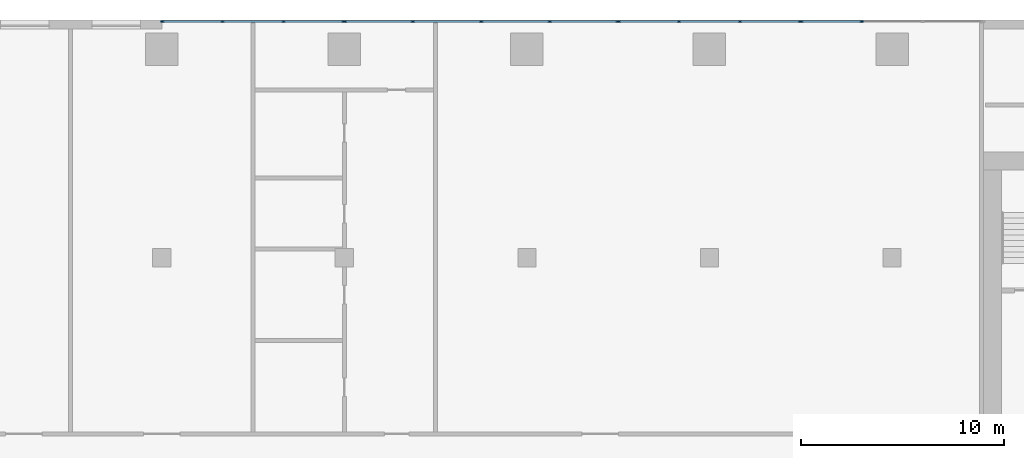
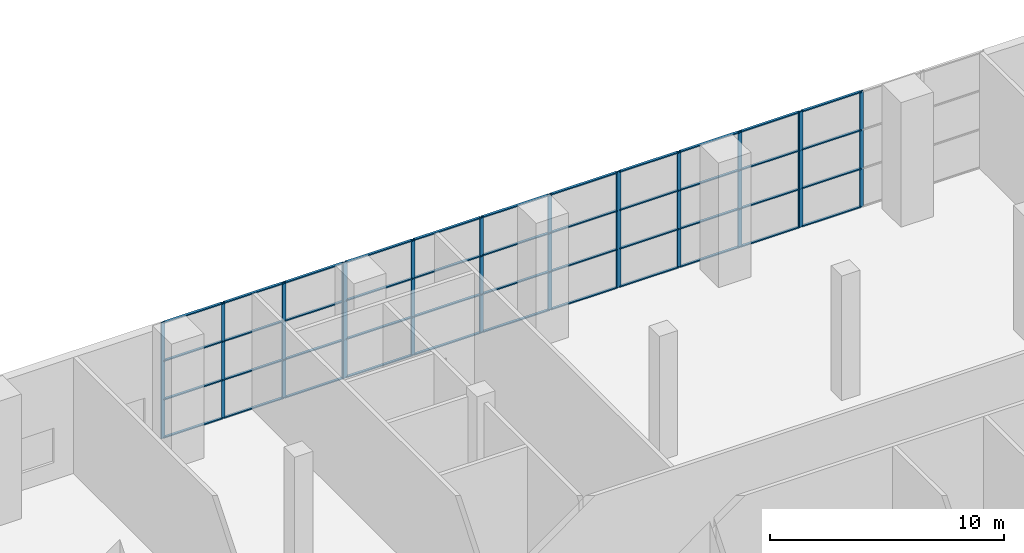
# One storey, part 3 of 24: 59 members, 4 elements without a shape of their own.
"""IFC4 building model written with IfcOpenShell, lengths in metres."""

from ifc_helpers import new_model, si_unit, direction, frame, origin, origin_2d, place, context, subcontext, project, spatial, rectangle, extrude, material, material_profile, profile_set, type_object, element, aggregate, save


model = new_model("IFC4")

# Units and contexts
model_context = context("Model", 3, precision=1e-05, world=origin(), true_north=direction((0.0, 1.0)))
body_context = subcontext(model_context, "Body", "Model", "MODEL_VIEW")
ifc_project = project(units=[si_unit("LENGTHUNIT", "METRE"), si_unit("AREAUNIT", "SQUARE_METRE"), si_unit("VOLUMEUNIT", "CUBIC_METRE"), si_unit("PLANEANGLEUNIT", "RADIAN"), si_unit("MASSUNIT", "GRAM", prefix="KILO")], contexts=[model_context])

# Site, building, storey
site_placement = place(None, origin())
site = spatial("IfcSite", under=ifc_project, at=site_placement, CompositionType="ELEMENT")
building_placement = place(site_placement, origin())
building = spatial("IfcBuilding", under=site, at=building_placement, Name="Kajstack Hotel Tower", CompositionType="ELEMENT")
storey_placement = place(building_placement, frame((0.0, 0.0, 17.0)))
storey = spatial("IfcBuildingStorey", under=building, at=storey_placement, Name="L02", CompositionType="ELEMENT", Elevation=17.0)

# Curtain wall, members
ifc_material_1 = material(Name="Aluminium-framed curtain wall, low-iron laminated glass", Category="aluminium")
curtain_wall_type = type_object("IfcCurtainWallType", Name="CW-DINING", PredefinedType="NOTDEFINED", material=ifc_material_1)
curtain_wall_1_placement = place(storey_placement, origin())
curtain_wall_1 = element("IfcCurtainWall", 1, at=curtain_wall_1_placement, inside=storey, type_object=curtain_wall_type, Name="Curtain wall CU2 L02-11-02-0", PredefinedType="NOTDEFINED")
ifc_material_2 = material(Name="Aluminium", Category="aluminium")
ifc_material_profile_1 = material_profile(ifc_material_2, rectangle(XDim=0.06005859375, YDim=0.179931640625, at=origin_2d()), Name="Aluminium mullion 60 x 180")
ifc_profile_set_1 = profile_set([ifc_material_profile_1], Name="Aluminium")
member_type_1 = type_object("IfcMemberType", Name="CW-M-DINING", PredefinedType="MULLION", material=ifc_profile_set_1)
member_1_placement = place(storey_placement, frame((7.5, 21.925048828125, 0.0), z_axis=(0.0, 0.0, 1.0), x_axis=(0.0, -1.0, 0.0)))
member_1 = element("IfcMember", 2, at=member_1_placement, type_object=member_type_1, Name="CU2 mullion 3", PredefinedType="MULLION", context=body_context, shape_type="SweptSolid", body=[
    extrude(rectangle(XDim=0.06005859375, YDim=0.179931640625, at=origin_2d()), origin(), (0.0, 0.0, 1.0), 6.050048828125),
])
member_2_placement = place(storey_placement, frame((4.530029296875, 21.925048828125, 0.0), z_axis=(0.0, 0.0, 1.0), x_axis=(0.0, -1.0, 0.0)))
member_2 = element("IfcMember", 3, at=member_2_placement, type_object=member_type_1, Name="CU2 mullion 4", PredefinedType="MULLION", context=body_context, shape_type="SweptSolid", body=[
    extrude(rectangle(XDim=0.06005859375, YDim=0.179931640625, at=origin_2d()), origin(), (0.0, 0.0, 1.0), 6.050048828125),
])

curtain_wall_2_placement = place(storey_placement, origin())
curtain_wall_2 = element("IfcCurtainWall", 4, at=curtain_wall_2_placement, inside=storey, type_object=curtain_wall_type, Name="Curtain wall CU2 L02-11-02-1", PredefinedType="NOTDEFINED")
member_3_placement = place(storey_placement, frame((4.469970703125, 21.925048828125, 0.0), z_axis=(0.0, 0.0, 1.0), x_axis=(0.0, -1.0, 0.0)))
member_3 = element("IfcMember", 5, at=member_3_placement, type_object=member_type_1, Name="CU2 mullion 1", PredefinedType="MULLION", context=body_context, shape_type="SweptSolid", body=[
    extrude(rectangle(XDim=0.06005859375, YDim=0.179931640625, at=origin_2d()), origin(), (0.0, 0.0, 1.0), 6.050048828125),
])
member_4_placement = place(storey_placement, frame((1.5, 21.925048828125, 0.0), z_axis=(0.0, 0.0, 1.0), x_axis=(0.0, -1.0, 0.0)))
member_4 = element("IfcMember", 6, at=member_4_placement, type_object=member_type_1, Name="CU2 mullion 2", PredefinedType="MULLION", context=body_context, shape_type="SweptSolid", body=[
    extrude(rectangle(XDim=0.06005859375, YDim=0.179931640625, at=origin_2d()), origin(), (0.0, 0.0, 1.0), 6.050048828125),
])
member_5_placement = place(storey_placement, frame((-1.5, 21.925048828125, 0.0), z_axis=(0.0, 0.0, 1.0), x_axis=(0.0, -1.0, 0.0)))
member_5 = element("IfcMember", 7, at=member_5_placement, type_object=member_type_1, Name="CU2 mullion 3", PredefinedType="MULLION", context=body_context, shape_type="SweptSolid", body=[
    extrude(rectangle(XDim=0.06005859375, YDim=0.179931640625, at=origin_2d()), origin(), (0.0, 0.0, 1.0), 6.050048828125),
])
member_6_placement = place(storey_placement, frame((-4.469970703125, 21.925048828125, 0.0), z_axis=(0.0, 0.0, 1.0), x_axis=(0.0, -1.0, 0.0)))
member_6 = element("IfcMember", 8, at=member_6_placement, type_object=member_type_1, Name="CU2 mullion 4", PredefinedType="MULLION", context=body_context, shape_type="SweptSolid", body=[
    extrude(rectangle(XDim=0.06005859375, YDim=0.179931640625, at=origin_2d()), origin(), (0.0, 0.0, 1.0), 6.050048828125),
])

curtain_wall_3_placement = place(storey_placement, origin())
curtain_wall_3 = element("IfcCurtainWall", 9, at=curtain_wall_3_placement, inside=storey, type_object=curtain_wall_type, Name="Curtain wall CU2 L02-11-02-2", PredefinedType="NOTDEFINED")
member_7_placement = place(storey_placement, frame((-4.530029296875, 21.925048828125, 0.0), z_axis=(0.0, 0.0, 1.0), x_axis=(0.0, -1.0, 0.0)))
member_7 = element("IfcMember", 10, at=member_7_placement, type_object=member_type_1, Name="CU2 mullion 1", PredefinedType="MULLION", context=body_context, shape_type="SweptSolid", body=[
    extrude(rectangle(XDim=0.06005859375, YDim=0.179931640625, at=origin_2d()), origin(), (0.0, 0.0, 1.0), 6.050048828125),
])
member_8_placement = place(storey_placement, frame((-7.875, 21.925048828125, 0.0), z_axis=(0.0, 0.0, 1.0), x_axis=(0.0, -1.0, 0.0)))
member_8 = element("IfcMember", 11, at=member_8_placement, type_object=member_type_1, Name="CU2 mullion 2", PredefinedType="MULLION", context=body_context, shape_type="SweptSolid", body=[
    extrude(rectangle(XDim=0.06005859375, YDim=0.179931640625, at=origin_2d()), origin(), (0.0, 0.0, 1.0), 6.050048828125),
])
member_9_placement = place(storey_placement, frame((-11.25, 21.925048828125, 0.0), z_axis=(0.0, 0.0, 1.0), x_axis=(0.0, -1.0, 0.0)))
member_9 = element("IfcMember", 12, at=member_9_placement, type_object=member_type_1, Name="CU2 mullion 3", PredefinedType="MULLION", context=body_context, shape_type="SweptSolid", body=[
    extrude(rectangle(XDim=0.06005859375, YDim=0.179931640625, at=origin_2d()), origin(), (0.0, 0.0, 1.0), 6.050048828125),
])
member_10_placement = place(storey_placement, frame((-14.625, 21.925048828125, 0.0), z_axis=(0.0, 0.0, 1.0), x_axis=(0.0, -1.0, 0.0)))
member_10 = element("IfcMember", 13, at=member_10_placement, type_object=member_type_1, Name="CU2 mullion 4", PredefinedType="MULLION", context=body_context, shape_type="SweptSolid", body=[
    extrude(rectangle(XDim=0.06005859375, YDim=0.179931640625, at=origin_2d()), origin(), (0.0, 0.0, 1.0), 6.050048828125),
])
member_11_placement = place(storey_placement, frame((-17.969970703125, 21.925048828125, 0.0), z_axis=(0.0, 0.0, 1.0), x_axis=(0.0, -1.0, 0.0)))
member_11 = element("IfcMember", 14, at=member_11_placement, type_object=member_type_1, Name="CU2 mullion 5", PredefinedType="MULLION", context=body_context, shape_type="SweptSolid", body=[
    extrude(rectangle(XDim=0.06005859375, YDim=0.179931640625, at=origin_2d()), origin(), (0.0, 0.0, 1.0), 6.050048828125),
])

curtain_wall_4_placement = place(storey_placement, origin())
curtain_wall_4 = element("IfcCurtainWall", 15, at=curtain_wall_4_placement, inside=storey, type_object=curtain_wall_type, Name="Curtain wall CU2 L02-11-02-3", PredefinedType="NOTDEFINED")
member_12_placement = place(storey_placement, frame((-18.030029296875, 21.925048828125, 0.0), z_axis=(0.0, 0.0, 1.0), x_axis=(0.0, -1.0, 0.0)))
member_12 = element("IfcMember", 16, at=member_12_placement, type_object=member_type_1, Name="CU2 mullion 1", PredefinedType="MULLION", context=body_context, shape_type="SweptSolid", body=[
    extrude(rectangle(XDim=0.06005859375, YDim=0.179931640625, at=origin_2d()), origin(), (0.0, 0.0, 1.0), 6.050048828125),
])
member_13_placement = place(storey_placement, frame((-21.0, 21.925048828125, 0.0), z_axis=(0.0, 0.0, 1.0), x_axis=(0.0, -1.0, 0.0)))
member_13 = element("IfcMember", 17, at=member_13_placement, type_object=member_type_1, Name="CU2 mullion 2", PredefinedType="MULLION", context=body_context, shape_type="SweptSolid", body=[
    extrude(rectangle(XDim=0.06005859375, YDim=0.179931640625, at=origin_2d()), origin(), (0.0, 0.0, 1.0), 6.050048828125),
])
member_14_placement = place(storey_placement, frame((-24.0, 21.925048828125, 0.0), z_axis=(0.0, 0.0, 1.0), x_axis=(0.0, -1.0, 0.0)))
member_14 = element("IfcMember", 18, at=member_14_placement, type_object=member_type_1, Name="CU2 mullion 3", PredefinedType="MULLION", context=body_context, shape_type="SweptSolid", body=[
    extrude(rectangle(XDim=0.06005859375, YDim=0.179931640625, at=origin_2d()), origin(), (0.0, 0.0, 1.0), 6.050048828125),
])
member_15_placement = place(storey_placement, frame((-26.969970703125, 21.925048828125, 0.0), z_axis=(0.0, 0.0, 1.0), x_axis=(0.0, -1.0, 0.0)))
member_15 = element("IfcMember", 19, at=member_15_placement, type_object=member_type_1, Name="CU2 mullion 4", PredefinedType="MULLION", context=body_context, shape_type="SweptSolid", body=[
    extrude(rectangle(XDim=0.06005859375, YDim=0.179931640625, at=origin_2d()), origin(), (0.0, 0.0, 1.0), 6.050048828125),
])

# Member
ifc_material_profile_2 = material_profile(ifc_material_2, rectangle(XDim=0.1201171875, YDim=0.06005859375, at=origin_2d()), Name="Aluminium transom 120 x 60")
ifc_profile_set_2 = profile_set([ifc_material_profile_2], Name="Aluminium")
member_type_2 = type_object("IfcMemberType", Name="CW-T-DINING", PredefinedType="USERDEFINED", material=ifc_profile_set_2)
member_16_placement = place(storey_placement, frame((7.469970703125, 21.925048828125, 0.030029296875), z_axis=(-1.0, 0.0, 0.0), x_axis=(0.0, -1.0, 0.0)))
member_16 = element("IfcMember", 20, at=member_16_placement, type_object=member_type_2, Name="CU2 transom 3.1", ObjectType="TRANSOM", PredefinedType="USERDEFINED", context=body_context, shape_type="SweptSolid", body=[
    extrude(rectangle(XDim=0.1201171875, YDim=0.06005859375, at=origin_2d()), origin(), (0.0, 0.0, 1.0), 2.909912109375),
])

member_17_placement = place(storey_placement, frame((7.469970703125, 21.925048828125, 2.0166015625), z_axis=(-1.0, 0.0, 0.0), x_axis=(0.0, -1.0, 0.0)))
member_17 = element("IfcMember", 21, at=member_17_placement, type_object=member_type_2, Name="CU2 transom 3.2", ObjectType="TRANSOM", PredefinedType="USERDEFINED", context=body_context, shape_type="SweptSolid", body=[
    extrude(rectangle(XDim=0.1201171875, YDim=0.06005859375, at=origin_2d()), origin(), (0.0, 0.0, 1.0), 2.909912109375),
])

member_18_placement = place(storey_placement, frame((7.469970703125, 21.925048828125, 4.033203125), z_axis=(-1.0, 0.0, 0.0), x_axis=(0.0, -1.0, 0.0)))
member_18 = element("IfcMember", 22, at=member_18_placement, type_object=member_type_2, Name="CU2 transom 3.3", ObjectType="TRANSOM", PredefinedType="USERDEFINED", context=body_context, shape_type="SweptSolid", body=[
    extrude(rectangle(XDim=0.1201171875, YDim=0.06005859375, at=origin_2d()), origin(), (0.0, 0.0, 1.0), 2.909912109375),
])

member_19_placement = place(storey_placement, frame((7.469970703125, 21.925048828125, 6.02001953125), z_axis=(-1.0, 0.0, 0.0), x_axis=(0.0, -1.0, 0.0)))
member_19 = element("IfcMember", 23, at=member_19_placement, type_object=member_type_2, Name="CU2 transom 3.4", ObjectType="TRANSOM", PredefinedType="USERDEFINED", context=body_context, shape_type="SweptSolid", body=[
    extrude(rectangle(XDim=0.1201171875, YDim=0.06005859375, at=origin_2d()), origin(), (0.0, 0.0, 1.0), 2.909912109375),
])

aggregate(curtain_wall_1, [member_1, member_2, member_16, member_17, member_18, member_19])

member_20_placement = place(storey_placement, frame((4.43994140625, 21.925048828125, 0.030029296875), z_axis=(-1.0, 0.0, 0.0), x_axis=(0.0, -1.0, 0.0)))
member_20 = element("IfcMember", 24, at=member_20_placement, type_object=member_type_2, Name="CU2 transom 1.1", ObjectType="TRANSOM", PredefinedType="USERDEFINED", context=body_context, shape_type="SweptSolid", body=[
    extrude(rectangle(XDim=0.1201171875, YDim=0.06005859375, at=origin_2d()), origin(), (0.0, 0.0, 1.0), 2.909912109375),
])

member_21_placement = place(storey_placement, frame((4.43994140625, 21.925048828125, 2.0166015625), z_axis=(-1.0, 0.0, 0.0), x_axis=(0.0, -1.0, 0.0)))
member_21 = element("IfcMember", 25, at=member_21_placement, type_object=member_type_2, Name="CU2 transom 1.2", ObjectType="TRANSOM", PredefinedType="USERDEFINED", context=body_context, shape_type="SweptSolid", body=[
    extrude(rectangle(XDim=0.1201171875, YDim=0.06005859375, at=origin_2d()), origin(), (0.0, 0.0, 1.0), 2.909912109375),
])

member_22_placement = place(storey_placement, frame((4.43994140625, 21.925048828125, 4.033203125), z_axis=(-1.0, 0.0, 0.0), x_axis=(0.0, -1.0, 0.0)))
member_22 = element("IfcMember", 26, at=member_22_placement, type_object=member_type_2, Name="CU2 transom 1.3", ObjectType="TRANSOM", PredefinedType="USERDEFINED", context=body_context, shape_type="SweptSolid", body=[
    extrude(rectangle(XDim=0.1201171875, YDim=0.06005859375, at=origin_2d()), origin(), (0.0, 0.0, 1.0), 2.909912109375),
])

member_23_placement = place(storey_placement, frame((4.43994140625, 21.925048828125, 6.02001953125), z_axis=(-1.0, 0.0, 0.0), x_axis=(0.0, -1.0, 0.0)))
member_23 = element("IfcMember", 27, at=member_23_placement, type_object=member_type_2, Name="CU2 transom 1.4", ObjectType="TRANSOM", PredefinedType="USERDEFINED", context=body_context, shape_type="SweptSolid", body=[
    extrude(rectangle(XDim=0.1201171875, YDim=0.06005859375, at=origin_2d()), origin(), (0.0, 0.0, 1.0), 2.909912109375),
])

member_24_placement = place(storey_placement, frame((1.469970703125, 21.925048828125, 0.030029296875), z_axis=(-1.0, 0.0, 0.0), x_axis=(0.0, -1.0, 0.0)))
member_24 = element("IfcMember", 28, at=member_24_placement, type_object=member_type_2, Name="CU2 transom 2.1", ObjectType="TRANSOM", PredefinedType="USERDEFINED", context=body_context, shape_type="SweptSolid", body=[
    extrude(rectangle(XDim=0.1201171875, YDim=0.06005859375, at=origin_2d()), origin(), (0.0, 0.0, 1.0), 2.93994140625),
])

member_25_placement = place(storey_placement, frame((1.469970703125, 21.925048828125, 2.0166015625), z_axis=(-1.0, 0.0, 0.0), x_axis=(0.0, -1.0, 0.0)))
member_25 = element("IfcMember", 29, at=member_25_placement, type_object=member_type_2, Name="CU2 transom 2.2", ObjectType="TRANSOM", PredefinedType="USERDEFINED", context=body_context, shape_type="SweptSolid", body=[
    extrude(rectangle(XDim=0.1201171875, YDim=0.06005859375, at=origin_2d()), origin(), (0.0, 0.0, 1.0), 2.93994140625),
])

member_26_placement = place(storey_placement, frame((1.469970703125, 21.925048828125, 4.033203125), z_axis=(-1.0, 0.0, 0.0), x_axis=(0.0, -1.0, 0.0)))
member_26 = element("IfcMember", 30, at=member_26_placement, type_object=member_type_2, Name="CU2 transom 2.3", ObjectType="TRANSOM", PredefinedType="USERDEFINED", context=body_context, shape_type="SweptSolid", body=[
    extrude(rectangle(XDim=0.1201171875, YDim=0.06005859375, at=origin_2d()), origin(), (0.0, 0.0, 1.0), 2.93994140625),
])

member_27_placement = place(storey_placement, frame((1.469970703125, 21.925048828125, 6.02001953125), z_axis=(-1.0, 0.0, 0.0), x_axis=(0.0, -1.0, 0.0)))
member_27 = element("IfcMember", 31, at=member_27_placement, type_object=member_type_2, Name="CU2 transom 2.4", ObjectType="TRANSOM", PredefinedType="USERDEFINED", context=body_context, shape_type="SweptSolid", body=[
    extrude(rectangle(XDim=0.1201171875, YDim=0.06005859375, at=origin_2d()), origin(), (0.0, 0.0, 1.0), 2.93994140625),
])

member_28_placement = place(storey_placement, frame((-1.530029296875, 21.925048828125, 0.030029296875), z_axis=(-1.0, 0.0, 0.0), x_axis=(0.0, -1.0, 0.0)))
member_28 = element("IfcMember", 32, at=member_28_placement, type_object=member_type_2, Name="CU2 transom 3.1", ObjectType="TRANSOM", PredefinedType="USERDEFINED", context=body_context, shape_type="SweptSolid", body=[
    extrude(rectangle(XDim=0.1201171875, YDim=0.06005859375, at=origin_2d()), origin(), (0.0, 0.0, 1.0), 2.909912109375),
])

member_29_placement = place(storey_placement, frame((-1.530029296875, 21.925048828125, 2.0166015625), z_axis=(-1.0, 0.0, 0.0), x_axis=(0.0, -1.0, 0.0)))
member_29 = element("IfcMember", 33, at=member_29_placement, type_object=member_type_2, Name="CU2 transom 3.2", ObjectType="TRANSOM", PredefinedType="USERDEFINED", context=body_context, shape_type="SweptSolid", body=[
    extrude(rectangle(XDim=0.1201171875, YDim=0.06005859375, at=origin_2d()), origin(), (0.0, 0.0, 1.0), 2.909912109375),
])

member_30_placement = place(storey_placement, frame((-1.530029296875, 21.925048828125, 4.033203125), z_axis=(-1.0, 0.0, 0.0), x_axis=(0.0, -1.0, 0.0)))
member_30 = element("IfcMember", 34, at=member_30_placement, type_object=member_type_2, Name="CU2 transom 3.3", ObjectType="TRANSOM", PredefinedType="USERDEFINED", context=body_context, shape_type="SweptSolid", body=[
    extrude(rectangle(XDim=0.1201171875, YDim=0.06005859375, at=origin_2d()), origin(), (0.0, 0.0, 1.0), 2.909912109375),
])

member_31_placement = place(storey_placement, frame((-1.530029296875, 21.925048828125, 6.02001953125), z_axis=(-1.0, 0.0, 0.0), x_axis=(0.0, -1.0, 0.0)))
member_31 = element("IfcMember", 35, at=member_31_placement, type_object=member_type_2, Name="CU2 transom 3.4", ObjectType="TRANSOM", PredefinedType="USERDEFINED", context=body_context, shape_type="SweptSolid", body=[
    extrude(rectangle(XDim=0.1201171875, YDim=0.06005859375, at=origin_2d()), origin(), (0.0, 0.0, 1.0), 2.909912109375),
])

aggregate(curtain_wall_2, [member_3, member_4, member_5, member_6, member_20, member_21, member_22, member_23, member_24, member_25, member_26, member_27, member_28, member_29, member_30, member_31])

member_32_placement = place(storey_placement, frame((-4.56005859375, 21.925048828125, 0.030029296875), z_axis=(-1.0, 0.0, 0.0), x_axis=(0.0, -1.0, 0.0)))
member_32 = element("IfcMember", 36, at=member_32_placement, type_object=member_type_2, Name="CU2 transom 1.1", ObjectType="TRANSOM", PredefinedType="USERDEFINED", context=body_context, shape_type="SweptSolid", body=[
    extrude(rectangle(XDim=0.1201171875, YDim=0.06005859375, at=origin_2d()), origin(), (0.0, 0.0, 1.0), 3.284912109375),
])

member_33_placement = place(storey_placement, frame((-4.56005859375, 21.925048828125, 2.0166015625), z_axis=(-1.0, 0.0, 0.0), x_axis=(0.0, -1.0, 0.0)))
member_33 = element("IfcMember", 37, at=member_33_placement, type_object=member_type_2, Name="CU2 transom 1.2", ObjectType="TRANSOM", PredefinedType="USERDEFINED", context=body_context, shape_type="SweptSolid", body=[
    extrude(rectangle(XDim=0.1201171875, YDim=0.06005859375, at=origin_2d()), origin(), (0.0, 0.0, 1.0), 3.284912109375),
])

member_34_placement = place(storey_placement, frame((-4.56005859375, 21.925048828125, 4.033203125), z_axis=(-1.0, 0.0, 0.0), x_axis=(0.0, -1.0, 0.0)))
member_34 = element("IfcMember", 38, at=member_34_placement, type_object=member_type_2, Name="CU2 transom 1.3", ObjectType="TRANSOM", PredefinedType="USERDEFINED", context=body_context, shape_type="SweptSolid", body=[
    extrude(rectangle(XDim=0.1201171875, YDim=0.06005859375, at=origin_2d()), origin(), (0.0, 0.0, 1.0), 3.284912109375),
])

member_35_placement = place(storey_placement, frame((-4.56005859375, 21.925048828125, 6.02001953125), z_axis=(-1.0, 0.0, 0.0), x_axis=(0.0, -1.0, 0.0)))
member_35 = element("IfcMember", 39, at=member_35_placement, type_object=member_type_2, Name="CU2 transom 1.4", ObjectType="TRANSOM", PredefinedType="USERDEFINED", context=body_context, shape_type="SweptSolid", body=[
    extrude(rectangle(XDim=0.1201171875, YDim=0.06005859375, at=origin_2d()), origin(), (0.0, 0.0, 1.0), 3.284912109375),
])

member_36_placement = place(storey_placement, frame((-7.905029296875, 21.925048828125, 0.030029296875), z_axis=(-1.0, 0.0, 0.0), x_axis=(0.0, -1.0, 0.0)))
member_36 = element("IfcMember", 40, at=member_36_placement, type_object=member_type_2, Name="CU2 transom 2.1", ObjectType="TRANSOM", PredefinedType="USERDEFINED", context=body_context, shape_type="SweptSolid", body=[
    extrude(rectangle(XDim=0.1201171875, YDim=0.06005859375, at=origin_2d()), origin(), (0.0, 0.0, 1.0), 3.31494140625),
])

member_37_placement = place(storey_placement, frame((-7.905029296875, 21.925048828125, 2.0166015625), z_axis=(-1.0, 0.0, 0.0), x_axis=(0.0, -1.0, 0.0)))
member_37 = element("IfcMember", 41, at=member_37_placement, type_object=member_type_2, Name="CU2 transom 2.2", ObjectType="TRANSOM", PredefinedType="USERDEFINED", context=body_context, shape_type="SweptSolid", body=[
    extrude(rectangle(XDim=0.1201171875, YDim=0.06005859375, at=origin_2d()), origin(), (0.0, 0.0, 1.0), 3.31494140625),
])

member_38_placement = place(storey_placement, frame((-7.905029296875, 21.925048828125, 4.033203125), z_axis=(-1.0, 0.0, 0.0), x_axis=(0.0, -1.0, 0.0)))
member_38 = element("IfcMember", 42, at=member_38_placement, type_object=member_type_2, Name="CU2 transom 2.3", ObjectType="TRANSOM", PredefinedType="USERDEFINED", context=body_context, shape_type="SweptSolid", body=[
    extrude(rectangle(XDim=0.1201171875, YDim=0.06005859375, at=origin_2d()), origin(), (0.0, 0.0, 1.0), 3.31494140625),
])

member_39_placement = place(storey_placement, frame((-7.905029296875, 21.925048828125, 6.02001953125), z_axis=(-1.0, 0.0, 0.0), x_axis=(0.0, -1.0, 0.0)))
member_39 = element("IfcMember", 43, at=member_39_placement, type_object=member_type_2, Name="CU2 transom 2.4", ObjectType="TRANSOM", PredefinedType="USERDEFINED", context=body_context, shape_type="SweptSolid", body=[
    extrude(rectangle(XDim=0.1201171875, YDim=0.06005859375, at=origin_2d()), origin(), (0.0, 0.0, 1.0), 3.31494140625),
])

member_40_placement = place(storey_placement, frame((-11.280029296875, 21.925048828125, 0.030029296875), z_axis=(-1.0, 0.0, 0.0), x_axis=(0.0, -1.0, 0.0)))
member_40 = element("IfcMember", 44, at=member_40_placement, type_object=member_type_2, Name="CU2 transom 3.1", ObjectType="TRANSOM", PredefinedType="USERDEFINED", context=body_context, shape_type="SweptSolid", body=[
    extrude(rectangle(XDim=0.1201171875, YDim=0.06005859375, at=origin_2d()), origin(), (0.0, 0.0, 1.0), 3.31494140625),
])

member_41_placement = place(storey_placement, frame((-11.280029296875, 21.925048828125, 2.0166015625), z_axis=(-1.0, 0.0, 0.0), x_axis=(0.0, -1.0, 0.0)))
member_41 = element("IfcMember", 45, at=member_41_placement, type_object=member_type_2, Name="CU2 transom 3.2", ObjectType="TRANSOM", PredefinedType="USERDEFINED", context=body_context, shape_type="SweptSolid", body=[
    extrude(rectangle(XDim=0.1201171875, YDim=0.06005859375, at=origin_2d()), origin(), (0.0, 0.0, 1.0), 3.31494140625),
])

member_42_placement = place(storey_placement, frame((-11.280029296875, 21.925048828125, 4.033203125), z_axis=(-1.0, 0.0, 0.0), x_axis=(0.0, -1.0, 0.0)))
member_42 = element("IfcMember", 46, at=member_42_placement, type_object=member_type_2, Name="CU2 transom 3.3", ObjectType="TRANSOM", PredefinedType="USERDEFINED", context=body_context, shape_type="SweptSolid", body=[
    extrude(rectangle(XDim=0.1201171875, YDim=0.06005859375, at=origin_2d()), origin(), (0.0, 0.0, 1.0), 3.31494140625),
])

member_43_placement = place(storey_placement, frame((-11.280029296875, 21.925048828125, 6.02001953125), z_axis=(-1.0, 0.0, 0.0), x_axis=(0.0, -1.0, 0.0)))
member_43 = element("IfcMember", 47, at=member_43_placement, type_object=member_type_2, Name="CU2 transom 3.4", ObjectType="TRANSOM", PredefinedType="USERDEFINED", context=body_context, shape_type="SweptSolid", body=[
    extrude(rectangle(XDim=0.1201171875, YDim=0.06005859375, at=origin_2d()), origin(), (0.0, 0.0, 1.0), 3.31494140625),
])

member_44_placement = place(storey_placement, frame((-14.655029296875, 21.925048828125, 0.030029296875), z_axis=(-1.0, 0.0, 0.0), x_axis=(0.0, -1.0, 0.0)))
member_44 = element("IfcMember", 48, at=member_44_placement, type_object=member_type_2, Name="CU2 transom 4.1", ObjectType="TRANSOM", PredefinedType="USERDEFINED", context=body_context, shape_type="SweptSolid", body=[
    extrude(rectangle(XDim=0.1201171875, YDim=0.06005859375, at=origin_2d()), origin(), (0.0, 0.0, 1.0), 3.284912109375),
])

member_45_placement = place(storey_placement, frame((-14.655029296875, 21.925048828125, 2.0166015625), z_axis=(-1.0, 0.0, 0.0), x_axis=(0.0, -1.0, 0.0)))
member_45 = element("IfcMember", 49, at=member_45_placement, type_object=member_type_2, Name="CU2 transom 4.2", ObjectType="TRANSOM", PredefinedType="USERDEFINED", context=body_context, shape_type="SweptSolid", body=[
    extrude(rectangle(XDim=0.1201171875, YDim=0.06005859375, at=origin_2d()), origin(), (0.0, 0.0, 1.0), 3.284912109375),
])

member_46_placement = place(storey_placement, frame((-14.655029296875, 21.925048828125, 4.033203125), z_axis=(-1.0, 0.0, 0.0), x_axis=(0.0, -1.0, 0.0)))
member_46 = element("IfcMember", 50, at=member_46_placement, type_object=member_type_2, Name="CU2 transom 4.3", ObjectType="TRANSOM", PredefinedType="USERDEFINED", context=body_context, shape_type="SweptSolid", body=[
    extrude(rectangle(XDim=0.1201171875, YDim=0.06005859375, at=origin_2d()), origin(), (0.0, 0.0, 1.0), 3.284912109375),
])

member_47_placement = place(storey_placement, frame((-14.655029296875, 21.925048828125, 6.02001953125), z_axis=(-1.0, 0.0, 0.0), x_axis=(0.0, -1.0, 0.0)))
member_47 = element("IfcMember", 51, at=member_47_placement, type_object=member_type_2, Name="CU2 transom 4.4", ObjectType="TRANSOM", PredefinedType="USERDEFINED", context=body_context, shape_type="SweptSolid", body=[
    extrude(rectangle(XDim=0.1201171875, YDim=0.06005859375, at=origin_2d()), origin(), (0.0, 0.0, 1.0), 3.284912109375),
])

aggregate(curtain_wall_3, [member_7, member_8, member_9, member_10, member_11, member_32, member_33, member_34, member_35, member_36, member_37, member_38, member_39, member_40, member_41, member_42, member_43, member_44, member_45, member_46, member_47])

member_48_placement = place(storey_placement, frame((-18.06005859375, 21.925048828125, 0.030029296875), z_axis=(-1.0, 0.0, 0.0), x_axis=(0.0, -1.0, 0.0)))
member_48 = element("IfcMember", 52, at=member_48_placement, type_object=member_type_2, Name="CU2 transom 1.1", ObjectType="TRANSOM", PredefinedType="USERDEFINED", context=body_context, shape_type="SweptSolid", body=[
    extrude(rectangle(XDim=0.1201171875, YDim=0.06005859375, at=origin_2d()), origin(), (0.0, 0.0, 1.0), 2.909912109375),
])

member_49_placement = place(storey_placement, frame((-18.06005859375, 21.925048828125, 2.0166015625), z_axis=(-1.0, 0.0, 0.0), x_axis=(0.0, -1.0, 0.0)))
member_49 = element("IfcMember", 53, at=member_49_placement, type_object=member_type_2, Name="CU2 transom 1.2", ObjectType="TRANSOM", PredefinedType="USERDEFINED", context=body_context, shape_type="SweptSolid", body=[
    extrude(rectangle(XDim=0.1201171875, YDim=0.06005859375, at=origin_2d()), origin(), (0.0, 0.0, 1.0), 2.909912109375),
])

member_50_placement = place(storey_placement, frame((-18.06005859375, 21.925048828125, 4.033203125), z_axis=(-1.0, 0.0, 0.0), x_axis=(0.0, -1.0, 0.0)))
member_50 = element("IfcMember", 54, at=member_50_placement, type_object=member_type_2, Name="CU2 transom 1.3", ObjectType="TRANSOM", PredefinedType="USERDEFINED", context=body_context, shape_type="SweptSolid", body=[
    extrude(rectangle(XDim=0.1201171875, YDim=0.06005859375, at=origin_2d()), origin(), (0.0, 0.0, 1.0), 2.909912109375),
])

member_51_placement = place(storey_placement, frame((-18.06005859375, 21.925048828125, 6.02001953125), z_axis=(-1.0, 0.0, 0.0), x_axis=(0.0, -1.0, 0.0)))
member_51 = element("IfcMember", 55, at=member_51_placement, type_object=member_type_2, Name="CU2 transom 1.4", ObjectType="TRANSOM", PredefinedType="USERDEFINED", context=body_context, shape_type="SweptSolid", body=[
    extrude(rectangle(XDim=0.1201171875, YDim=0.06005859375, at=origin_2d()), origin(), (0.0, 0.0, 1.0), 2.909912109375),
])

member_52_placement = place(storey_placement, frame((-21.030029296875, 21.925048828125, 0.030029296875), z_axis=(-1.0, 0.0, 0.0), x_axis=(0.0, -1.0, 0.0)))
member_52 = element("IfcMember", 56, at=member_52_placement, type_object=member_type_2, Name="CU2 transom 2.1", ObjectType="TRANSOM", PredefinedType="USERDEFINED", context=body_context, shape_type="SweptSolid", body=[
    extrude(rectangle(XDim=0.1201171875, YDim=0.06005859375, at=origin_2d()), origin(), (0.0, 0.0, 1.0), 2.93994140625),
])

member_53_placement = place(storey_placement, frame((-21.030029296875, 21.925048828125, 2.0166015625), z_axis=(-1.0, 0.0, 0.0), x_axis=(0.0, -1.0, 0.0)))
member_53 = element("IfcMember", 57, at=member_53_placement, type_object=member_type_2, Name="CU2 transom 2.2", ObjectType="TRANSOM", PredefinedType="USERDEFINED", context=body_context, shape_type="SweptSolid", body=[
    extrude(rectangle(XDim=0.1201171875, YDim=0.06005859375, at=origin_2d()), origin(), (0.0, 0.0, 1.0), 2.93994140625),
])

member_54_placement = place(storey_placement, frame((-21.030029296875, 21.925048828125, 4.033203125), z_axis=(-1.0, 0.0, 0.0), x_axis=(0.0, -1.0, 0.0)))
member_54 = element("IfcMember", 58, at=member_54_placement, type_object=member_type_2, Name="CU2 transom 2.3", ObjectType="TRANSOM", PredefinedType="USERDEFINED", context=body_context, shape_type="SweptSolid", body=[
    extrude(rectangle(XDim=0.1201171875, YDim=0.06005859375, at=origin_2d()), origin(), (0.0, 0.0, 1.0), 2.93994140625),
])

member_55_placement = place(storey_placement, frame((-21.030029296875, 21.925048828125, 6.02001953125), z_axis=(-1.0, 0.0, 0.0), x_axis=(0.0, -1.0, 0.0)))
member_55 = element("IfcMember", 59, at=member_55_placement, type_object=member_type_2, Name="CU2 transom 2.4", ObjectType="TRANSOM", PredefinedType="USERDEFINED", context=body_context, shape_type="SweptSolid", body=[
    extrude(rectangle(XDim=0.1201171875, YDim=0.06005859375, at=origin_2d()), origin(), (0.0, 0.0, 1.0), 2.93994140625),
])

member_56_placement = place(storey_placement, frame((-24.030029296875, 21.925048828125, 0.030029296875), z_axis=(-1.0, 0.0, 0.0), x_axis=(0.0, -1.0, 0.0)))
member_56 = element("IfcMember", 60, at=member_56_placement, type_object=member_type_2, Name="CU2 transom 3.1", ObjectType="TRANSOM", PredefinedType="USERDEFINED", context=body_context, shape_type="SweptSolid", body=[
    extrude(rectangle(XDim=0.1201171875, YDim=0.06005859375, at=origin_2d()), origin(), (0.0, 0.0, 1.0), 2.909912109375),
])

member_57_placement = place(storey_placement, frame((-24.030029296875, 21.925048828125, 2.0166015625), z_axis=(-1.0, 0.0, 0.0), x_axis=(0.0, -1.0, 0.0)))
member_57 = element("IfcMember", 61, at=member_57_placement, type_object=member_type_2, Name="CU2 transom 3.2", ObjectType="TRANSOM", PredefinedType="USERDEFINED", context=body_context, shape_type="SweptSolid", body=[
    extrude(rectangle(XDim=0.1201171875, YDim=0.06005859375, at=origin_2d()), origin(), (0.0, 0.0, 1.0), 2.909912109375),
])

member_58_placement = place(storey_placement, frame((-24.030029296875, 21.925048828125, 4.033203125), z_axis=(-1.0, 0.0, 0.0), x_axis=(0.0, -1.0, 0.0)))
member_58 = element("IfcMember", 62, at=member_58_placement, type_object=member_type_2, Name="CU2 transom 3.3", ObjectType="TRANSOM", PredefinedType="USERDEFINED", context=body_context, shape_type="SweptSolid", body=[
    extrude(rectangle(XDim=0.1201171875, YDim=0.06005859375, at=origin_2d()), origin(), (0.0, 0.0, 1.0), 2.909912109375),
])

member_59_placement = place(storey_placement, frame((-24.030029296875, 21.925048828125, 6.02001953125), z_axis=(-1.0, 0.0, 0.0), x_axis=(0.0, -1.0, 0.0)))
member_59 = element("IfcMember", 63, at=member_59_placement, type_object=member_type_2, Name="CU2 transom 3.4", ObjectType="TRANSOM", PredefinedType="USERDEFINED", context=body_context, shape_type="SweptSolid", body=[
    extrude(rectangle(XDim=0.1201171875, YDim=0.06005859375, at=origin_2d()), origin(), (0.0, 0.0, 1.0), 2.909912109375),
])

aggregate(curtain_wall_4, [member_12, member_13, member_14, member_15, member_48, member_49, member_50, member_51, member_52, member_53, member_54, member_55, member_56, member_57, member_58, member_59])

save(model, "model.ifc")
